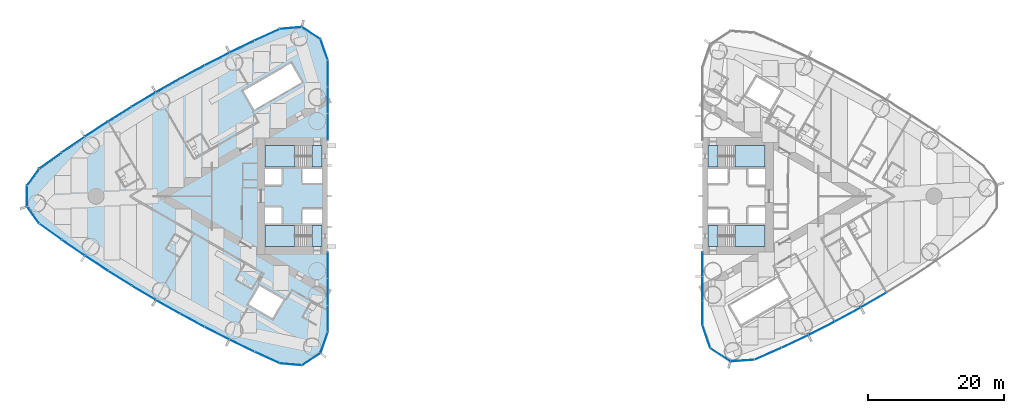
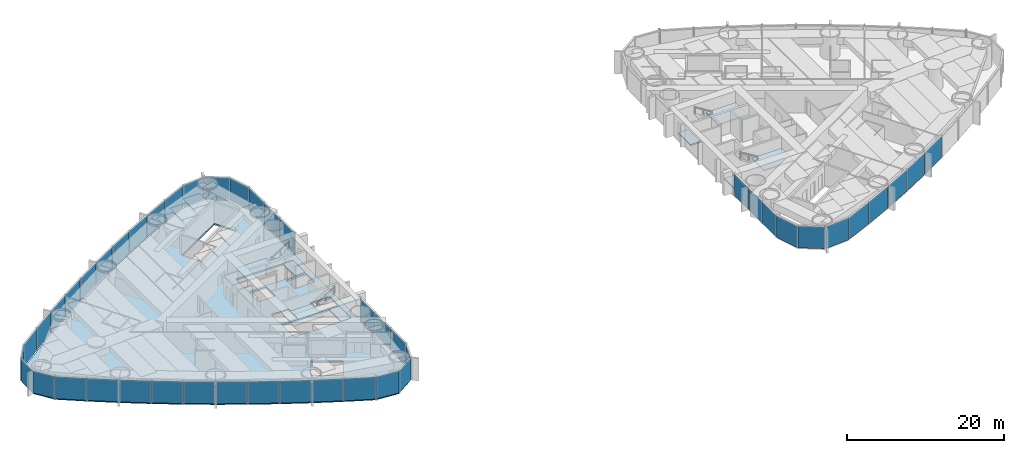
# One storey, part 9 of 18: 46 plates, 9 slabs, 6 elements without a shape of their own.
"""IFC4 building model written with IfcOpenShell, lengths in metres."""

from ifc_helpers import new_model, si_unit, direction, frame, origin, origin_2d, place, context, subcontext, project, spatial, polyline, rectangle, outline, extrude, material, layer, layer_set, type_object, element, aggregate, save


model = new_model("IFC4")

# Units and contexts
model_context = context("Model", 3, precision=1e-05, world=origin(), true_north=direction((0.0, 1.0)))
body_context = subcontext(model_context, "Body", "Model", "MODEL_VIEW")
ifc_project = project(units=[si_unit("LENGTHUNIT", "METRE"), si_unit("AREAUNIT", "SQUARE_METRE"), si_unit("VOLUMEUNIT", "CUBIC_METRE"), si_unit("PLANEANGLEUNIT", "RADIAN"), si_unit("MASSUNIT", "GRAM", prefix="KILO")], contexts=[model_context])

# Site, building, storey
site_placement = place(None, origin())
site = spatial("IfcSite", under=ifc_project, at=site_placement, CompositionType="ELEMENT")
building_placement = place(site_placement, origin())
building = spatial("IfcBuilding", under=site, at=building_placement, Name="Lancet Gate Hotel", CompositionType="ELEMENT")
storey_placement = place(building_placement, frame((0.0, 0.0, 129.10009765625)))
storey = spatial("IfcBuildingStorey", under=building, at=storey_placement, Name="L34", CompositionType="ELEMENT", Elevation=129.10009765625)

# Slab
ifc_material_1 = material(Name="Concrete C50/60", Category="concrete")
ifc_layer_1 = layer(ifc_material_1, 0.25)
ifc_layer_set_1 = layer_set([ifc_layer_1], Name="Floor slab 250")
slab_type_1 = type_object("IfcSlabType", Name="Floor slab 250", PredefinedType="FLOOR", material=ifc_layer_set_1)
slab_1_placement = place(storey_placement, frame((0.0, 0.0, -0.25)))
element("IfcSlab", 1, at=slab_1_placement, inside=storey, type_object=slab_type_1, Name="T1 L34 floor slab", PredefinedType="FLOOR", context=body_context, shape_type="SweptSolid", body=[
    extrude(outline(polyline([(-27.5, 8.60009765625), (-27.6201171875, 8.60009765625), (-27.6201171875, 19.950927734375), (-28.65966796875, 22.970947265625), (-31.320068359375, 24.69921875), (-34.5009765625, 24.421630859375), (-38.201416015625, 22.727783203125), (-41.8818359375, 20.946044921875), (-45.523193359375, 19.085693359375), (-49.12353515625, 17.147216796875), (-52.681396484375, 15.131591796875), (-56.195068359375, 13.0400390625), (-59.662841796875, 10.873291015625), (-63.0830078125, 8.63232421875), (-66.454345703125, 6.318115234375), (-69.76025390625, 3.94287109375), (-71.523193359375, 1.49755859375), (-71.523193359375, -1.49755859375), (-69.76025390625, -3.94287109375), (-66.454345703125, -6.318115234375), (-63.0830078125, -8.63232421875), (-59.662841796875, -10.873291015625), (-56.195068359375, -13.0400390625), (-52.681396484375, -15.131591796875), (-49.12353515625, -17.147216796875), (-45.523193359375, -19.085693359375), (-41.8818359375, -20.946044921875), (-38.201416015625, -22.727783203125), (-34.5009765625, -24.421630859375), (-31.320068359375, -24.69921875), (-28.65966796875, -22.970947265625), (-27.6201171875, -19.950927734375), (-27.6201171875, -8.60009765625), (-27.5, -8.60009765625), (-27.5, -8.199951171875), (-27.5, 8.199951171875), (-27.5, 8.60009765625)]), holes=[polyline([(-36.699951171875, 7.39990234375), (-36.699951171875, 4.300048828125), (-28.300048828125, 4.300048828125), (-28.300048828125, 7.39990234375), (-36.699951171875, 7.39990234375)]), polyline([(-28.300048828125, 4.0), (-31.199951171875, 4.0), (-31.199951171875, 1.89990234375), (-28.300048828125, 1.89990234375), (-28.300048828125, 4.0)]), polyline([(-34.25, 4.0), (-36.699951171875, 4.0), (-36.699951171875, 1.64990234375), (-34.25, 1.64990234375), (-34.25, 4.0)]), polyline([(-36.699951171875, -1.64990234375), (-36.699951171875, -4.0), (-34.25, -4.0), (-34.25, -1.64990234375), (-36.699951171875, -1.64990234375)]), polyline([(-28.300048828125, -1.89990234375), (-31.199951171875, -1.89990234375), (-31.199951171875, -4.0), (-28.300048828125, -4.0), (-28.300048828125, -1.89990234375)]), polyline([(-28.300048828125, -4.300048828125), (-36.699951171875, -4.300048828125), (-36.699951171875, -7.39990234375), (-28.300048828125, -7.39990234375), (-28.300048828125, -4.300048828125)]), polyline([(-31.2900390625, 16.73095703125), (-32.889892578125, 19.501953125), (-39.904052734375, 15.451904296875), (-38.303955078125, 12.680908203125), (-31.2900390625, 16.73095703125)]), polyline([(-33.97412109375, -15.180908203125), (-37.52490234375, -13.131103515625), (-39.125, -15.902099609375), (-35.573974609375, -17.951904296875), (-33.97412109375, -15.180908203125)])]), origin(), (0.0, 0.0, 1.0), 0.25),
])

# Stair, slabs
ifc_material_2 = material(Name="Exit stair 20 risers 1500")
stair_type = type_object("IfcStairType", Name="Exit stair 20 risers 1500", PredefinedType="HALF_TURN_STAIR", material=ifc_material_2)
stair_1_placement = place(storey_placement, origin())
stair_1 = element("IfcStair", 2, at=stair_1_placement, inside=storey, type_object=stair_type, Name="T1 stair 1 L34", PredefinedType="HALF_TURN_STAIR")
ifc_material_3 = material(Name="Concrete C40/50", Category="concrete")
ifc_layer_2 = layer(ifc_material_3, 0.199951171875)
ifc_layer_set_2 = layer_set([ifc_layer_2], Name="Stair landing 200")
slab_type_2 = type_object("IfcSlabType", Name="Stair landing 200", PredefinedType="LANDING", material=ifc_layer_set_2)
slab_2_placement = place(storey_placement, frame((0.0, 0.0, -0.2001953125)))
slab_2 = element("IfcSlab", 3, at=slab_2_placement, type_object=slab_type_2, Name="ST1 landing 1", PredefinedType="LANDING", context=body_context, shape_type="SweptSolid", body=[
    extrude(outline(polyline([(-28.300048828125, 7.39990234375), (-29.800048828125, 7.39990234375), (-29.800048828125, 4.300048828125), (-28.300048828125, 4.300048828125), (-28.300048828125, 7.39990234375)])), origin(), (0.0, 0.0, 1.0), 0.2001953125),
])
slab_3_placement = place(storey_placement, frame((0.0, 0.0, 1.5498046875)))
slab_3 = element("IfcSlab", 4, at=slab_3_placement, type_object=slab_type_2, Name="ST1 landing 2", PredefinedType="LANDING", context=body_context, shape_type="SweptSolid", body=[
    extrude(outline(polyline([(-32.320068359375, 7.39990234375), (-36.699951171875, 7.39990234375), (-36.699951171875, 4.300048828125), (-32.320068359375, 4.300048828125), (-32.320068359375, 7.39990234375)])), origin(), (0.0, 0.0, 1.0), 0.2001953125),
])
aggregate(stair_1, [slab_2, slab_3])

stair_2_placement = place(storey_placement, origin())
stair_2 = element("IfcStair", 5, at=stair_2_placement, inside=storey, type_object=stair_type, Name="T1 stair 2 L34", PredefinedType="HALF_TURN_STAIR")
slab_4_placement = place(storey_placement, frame((0.0, 0.0, -0.2001953125)))
slab_4 = element("IfcSlab", 6, at=slab_4_placement, type_object=slab_type_2, Name="ST2 landing 1", PredefinedType="LANDING", context=body_context, shape_type="SweptSolid", body=[
    extrude(outline(polyline([(-28.300048828125, -4.300048828125), (-29.800048828125, -4.300048828125), (-29.800048828125, -7.39990234375), (-28.300048828125, -7.39990234375), (-28.300048828125, -4.300048828125)])), origin(), (0.0, 0.0, 1.0), 0.2001953125),
])
slab_5_placement = place(storey_placement, frame((0.0, 0.0, 1.5498046875)))
slab_5 = element("IfcSlab", 7, at=slab_5_placement, type_object=slab_type_2, Name="ST2 landing 2", PredefinedType="LANDING", context=body_context, shape_type="SweptSolid", body=[
    extrude(outline(polyline([(-32.320068359375, -4.300048828125), (-36.699951171875, -4.300048828125), (-36.699951171875, -7.39990234375), (-32.320068359375, -7.39990234375), (-32.320068359375, -4.300048828125)])), origin(), (0.0, 0.0, 1.0), 0.2001953125),
])
aggregate(stair_2, [slab_4, slab_5])

stair_3_placement = place(storey_placement, origin())
stair_3 = element("IfcStair", 8, at=stair_3_placement, inside=storey, type_object=stair_type, Name="T2 stair 1 L34", PredefinedType="HALF_TURN_STAIR")
slab_6_placement = place(storey_placement, frame((0.0, 0.0, -0.2001953125)))
slab_6 = element("IfcSlab", 9, at=slab_6_placement, type_object=slab_type_2, Name="ST3 landing 1", PredefinedType="LANDING", context=body_context, shape_type="SweptSolid", body=[
    extrude(outline(polyline([(28.300048828125, -7.39990234375), (29.800048828125, -7.39990234375), (29.800048828125, -4.300048828125), (28.300048828125, -4.300048828125), (28.300048828125, -7.39990234375)])), origin(), (0.0, 0.0, 1.0), 0.2001953125),
])
slab_7_placement = place(storey_placement, frame((0.0, 0.0, 1.5498046875)))
slab_7 = element("IfcSlab", 10, at=slab_7_placement, type_object=slab_type_2, Name="ST3 landing 2", PredefinedType="LANDING", context=body_context, shape_type="SweptSolid", body=[
    extrude(outline(polyline([(32.320068359375, -7.39990234375), (36.699951171875, -7.39990234375), (36.699951171875, -4.300048828125), (32.320068359375, -4.300048828125), (32.320068359375, -7.39990234375)])), origin(), (0.0, 0.0, 1.0), 0.2001953125),
])
aggregate(stair_3, [slab_6, slab_7])

stair_4_placement = place(storey_placement, origin())
stair_4 = element("IfcStair", 11, at=stair_4_placement, inside=storey, type_object=stair_type, Name="T2 stair 2 L34", PredefinedType="HALF_TURN_STAIR")
slab_8_placement = place(storey_placement, frame((0.0, 0.0, -0.2001953125)))
slab_8 = element("IfcSlab", 12, at=slab_8_placement, type_object=slab_type_2, Name="ST4 landing 1", PredefinedType="LANDING", context=body_context, shape_type="SweptSolid", body=[
    extrude(outline(polyline([(28.300048828125, 4.300048828125), (29.800048828125, 4.300048828125), (29.800048828125, 7.39990234375), (28.300048828125, 7.39990234375), (28.300048828125, 4.300048828125)])), origin(), (0.0, 0.0, 1.0), 0.2001953125),
])
slab_9_placement = place(storey_placement, frame((0.0, 0.0, 1.5498046875)))
slab_9 = element("IfcSlab", 13, at=slab_9_placement, type_object=slab_type_2, Name="ST4 landing 2", PredefinedType="LANDING", context=body_context, shape_type="SweptSolid", body=[
    extrude(outline(polyline([(32.320068359375, 4.300048828125), (36.699951171875, 4.300048828125), (36.699951171875, 7.39990234375), (32.320068359375, 7.39990234375), (32.320068359375, 4.300048828125)])), origin(), (0.0, 0.0, 1.0), 0.2001953125),
])
aggregate(stair_4, [slab_8, slab_9])

# Curtain wall, plates
ifc_material_4 = material(Name="Aluminium curtain wall", Category="aluminium")
curtain_wall_type = type_object("IfcCurtainWallType", Name="Tower unitised curtain wall", PredefinedType="USERDEFINED", material=ifc_material_4)
curtain_wall_1_placement = place(storey_placement, origin())
curtain_wall_1 = element("IfcCurtainWall", 14, at=curtain_wall_1_placement, inside=storey, type_object=curtain_wall_type, Name="T1 L34 curtain wall 1", ObjectType="UNITISED CURTAIN WALL", PredefinedType="USERDEFINED")
ifc_material_5 = material(Name="Glass double glazed unit 8-16-6", Category="glass")
ifc_layer_3 = layer(ifc_material_5, 0.030029296875)
ifc_layer_set_3 = layer_set([ifc_layer_3], Name="Vision panel double glazed")
plate_type = type_object("IfcPlateType", Name="Vision panel double glazed", PredefinedType="CURTAIN_PANEL", material=ifc_layer_set_3)
plate_1_placement = place(storey_placement, frame((-27.5, 10.161865234375, -0.000244140625), z_axis=(0.0, 0.0, 1.0), x_axis=(0.0, 1.0, 0.0)))
plate_1 = element("IfcPlate", 15, at=plate_1_placement, type_object=plate_type, Name="T1 L34 curtain wall 1 panel 1", PredefinedType="CURTAIN_PANEL", context=body_context, shape_type="SweptSolid", body=[
    extrude(rectangle(XDim=3.858642578125, YDim=0.030029296875, at=origin_2d()), origin(), (0.0, 0.0, 1.0), 3.35009765625),
])
plate_2_placement = place(storey_placement, frame((-27.5, 14.08544921875, -0.000244140625), z_axis=(0.0, 0.0, 1.0), x_axis=(0.0, 1.0, 0.0)))
plate_2 = element("IfcPlate", 16, at=plate_2_placement, type_object=plate_type, Name="T1 L34 curtain wall 1 panel 2", PredefinedType="CURTAIN_PANEL", context=body_context, shape_type="SweptSolid", body=[
    extrude(rectangle(XDim=3.858642578125, YDim=0.030029296875, at=origin_2d()), origin(), (0.0, 0.0, 1.0), 3.35009765625),
])
plate_3_placement = place(storey_placement, frame((-27.5, 18.00927734375, -0.000244140625), z_axis=(0.0, 0.0, 1.0), x_axis=(0.0, 1.0, 0.0)))
plate_3 = element("IfcPlate", 17, at=plate_3_placement, type_object=plate_type, Name="T1 L34 curtain wall 1 panel 3", PredefinedType="CURTAIN_PANEL", context=body_context, shape_type="SweptSolid", body=[
    extrude(rectangle(XDim=3.858642578125, YDim=0.030029296875, at=origin_2d()), origin(), (0.0, 0.0, 1.0), 3.35009765625),
])
plate_4_placement = place(storey_placement, frame((-28.02978515625, 21.510009765625, -0.000244140625), z_axis=(0.0, 0.0, 1.0), x_axis=(-0.325515820766, 0.945536593914, 0.0)))
plate_4 = element("IfcPlate", 18, at=plate_4_placement, type_object=plate_type, Name="T1 L34 curtain wall 1 panel 4", PredefinedType="CURTAIN_PANEL", context=body_context, shape_type="SweptSolid", body=[
    extrude(rectangle(XDim=3.190185546875, YDim=0.030029296875, at=origin_2d()), origin(), (0.0, 0.0, 1.0), 3.35009765625),
])
plate_5_placement = place(storey_placement, frame((-29.924560546875, 23.935546875, -0.000244140625), z_axis=(0.0, 0.0, 1.0), x_axis=(-0.838580121261, 0.544778285385, 0.0)))
plate_5 = element("IfcPlate", 19, at=plate_5_placement, type_object=plate_type, Name="T1 L34 curtain wall 1 panel 5", PredefinedType="CURTAIN_PANEL", context=body_context, shape_type="SweptSolid", body=[
    extrude(rectangle(XDim=3.190185546875, YDim=0.030029296875, at=origin_2d()), origin(), (0.0, 0.0, 1.0), 3.35009765625),
])
plate_6_placement = place(storey_placement, frame((-32.91064453125, 24.680908203125, -0.000244140625), z_axis=(0.0, 0.0, 1.0), x_axis=(-0.996218779711, -0.086880049207, 0.0)))
plate_6 = element("IfcPlate", 20, at=plate_6_placement, type_object=plate_type, Name="T1 L34 curtain wall 1 panel 6", PredefinedType="CURTAIN_PANEL", context=body_context, shape_type="SweptSolid", body=[
    extrude(rectangle(XDim=3.190185546875, YDim=0.030029296875, at=origin_2d()), origin(), (0.0, 0.0, 1.0), 3.35009765625),
])
plate_7_placement = place(storey_placement, frame((-36.392333984375, 23.68798828125, -0.000244140625), z_axis=(0.0, 0.0, 1.0), x_axis=(-0.909252721243, -0.416244506166, 0.0)))
plate_7 = element("IfcPlate", 21, at=plate_7_placement, type_object=plate_type, Name="T1 L34 curtain wall 1 panel 7", PredefinedType="CURTAIN_PANEL", context=body_context, shape_type="SweptSolid", body=[
    extrude(rectangle(XDim=4.026611328125, YDim=0.030029296875, at=origin_2d()), origin(), (0.0, 0.0, 1.0), 3.35009765625),
])
plate_8_placement = place(storey_placement, frame((-40.093994140625, 21.945068359375, -0.000244140625), z_axis=(0.0, 0.0, 1.0), x_axis=(-0.900081672047, -0.435721222395, 0.0)))
plate_8 = element("IfcPlate", 22, at=plate_8_placement, type_object=plate_type, Name="T1 L34 curtain wall 1 panel 8", PredefinedType="CURTAIN_PANEL", context=body_context, shape_type="SweptSolid", body=[
    extrude(rectangle(XDim=4.026611328125, YDim=0.030029296875, at=origin_2d()), origin(), (0.0, 0.0, 1.0), 3.35009765625),
])
plate_9_placement = place(storey_placement, frame((-43.757080078125, 20.122802734375, -0.000244140625), z_axis=(0.0, 0.0, 1.0), x_axis=(-0.890493479451, -0.45499600334, 0.0)))
plate_9 = element("IfcPlate", 23, at=plate_9_placement, type_object=plate_type, Name="T1 L34 curtain wall 1 panel 9", PredefinedType="CURTAIN_PANEL", context=body_context, shape_type="SweptSolid", body=[
    extrude(rectangle(XDim=4.026611328125, YDim=0.030029296875, at=origin_2d()), origin(), (0.0, 0.0, 1.0), 3.35009765625),
])
plate_10_placement = place(storey_placement, frame((-47.380126953125, 18.221923828125, -0.000244140625), z_axis=(0.0, 0.0, 1.0), x_axis=(-0.880492587094, -0.474059916121, 0.0)))
plate_10 = element("IfcPlate", 24, at=plate_10_placement, type_object=plate_type, Name="T1 L34 curtain wall 1 panel 10", PredefinedType="CURTAIN_PANEL", context=body_context, shape_type="SweptSolid", body=[
    extrude(rectangle(XDim=4.026611328125, YDim=0.030029296875, at=origin_2d()), origin(), (0.0, 0.0, 1.0), 3.35009765625),
])
plate_11_placement = place(storey_placement, frame((-50.961669921875, 16.243896484375, -0.000244140625), z_axis=(0.0, 0.0, 1.0), x_axis=(-0.870083629903, -0.49290412554, 0.0)))
plate_11 = element("IfcPlate", 25, at=plate_11_placement, type_object=plate_type, Name="T1 L34 curtain wall 1 panel 11", PredefinedType="CURTAIN_PANEL", context=body_context, shape_type="SweptSolid", body=[
    extrude(rectangle(XDim=4.026611328125, YDim=0.030029296875, at=origin_2d()), origin(), (0.0, 0.0, 1.0), 3.35009765625),
])
plate_12_placement = place(storey_placement, frame((-54.49951171875, 14.18896484375, -0.000244140625), z_axis=(0.0, 0.0, 1.0), x_axis=(-0.859271431916, -0.511519898238, 0.0)))
plate_12 = element("IfcPlate", 26, at=plate_12_placement, type_object=plate_type, Name="T1 L34 curtain wall 1 panel 12", PredefinedType="CURTAIN_PANEL", context=body_context, shape_type="SweptSolid", body=[
    extrude(rectangle(XDim=4.026611328125, YDim=0.030029296875, at=origin_2d()), origin(), (0.0, 0.0, 1.0), 3.35009765625),
])
plate_13_placement = place(storey_placement, frame((-57.992431640625, 12.058349609375, -0.000244140625), z_axis=(0.0, 0.0, 1.0), x_axis=(-0.848061004052, -0.529898606722, 0.0)))
plate_13 = element("IfcPlate", 27, at=plate_13_placement, type_object=plate_type, Name="T1 L34 curtain wall 1 panel 13", PredefinedType="CURTAIN_PANEL", context=body_context, shape_type="SweptSolid", body=[
    extrude(rectangle(XDim=4.026611328125, YDim=0.030029296875, at=origin_2d()), origin(), (0.0, 0.0, 1.0), 3.35009765625),
])
plate_14_placement = place(storey_placement, frame((-61.438720703125, 9.85302734375, -0.000244140625), z_axis=(0.0, 0.0, 1.0), x_axis=(-0.836457541791, -0.54803173337, 0.0)))
plate_14 = element("IfcPlate", 28, at=plate_14_placement, type_object=plate_type, Name="T1 L34 curtain wall 1 panel 14", PredefinedType="CURTAIN_PANEL", context=body_context, shape_type="SweptSolid", body=[
    extrude(rectangle(XDim=4.026611328125, YDim=0.030029296875, at=origin_2d()), origin(), (0.0, 0.0, 1.0), 3.35009765625),
])
plate_15_placement = place(storey_placement, frame((-64.836669921875, 7.57421875, -0.000244140625), z_axis=(0.0, 0.0, 1.0), x_axis=(-0.824466422775, -0.565910874357, 0.0)))
plate_15 = element("IfcPlate", 29, at=plate_15_placement, type_object=plate_type, Name="T1 L34 curtain wall 1 panel 15", PredefinedType="CURTAIN_PANEL", context=body_context, shape_type="SweptSolid", body=[
    extrude(rectangle(XDim=4.026611328125, YDim=0.030029296875, at=origin_2d()), origin(), (0.0, 0.0, 1.0), 3.35009765625),
])
plate_16_placement = place(storey_placement, frame((-68.184814453125, 5.22265625, -0.000244140625), z_axis=(0.0, 0.0, 1.0), x_axis=(-0.812093204276, -0.583527743615, 0.0)))
plate_16 = element("IfcPlate", 30, at=plate_16_placement, type_object=plate_type, Name="T1 L34 curtain wall 1 panel 16", PredefinedType="CURTAIN_PANEL", context=body_context, shape_type="SweptSolid", body=[
    extrude(rectangle(XDim=4.026611328125, YDim=0.030029296875, at=origin_2d()), origin(), (0.0, 0.0, 1.0), 3.35009765625),
])
plate_17_placement = place(storey_placement, frame((-70.74462890625, 2.782470703125, -0.000244140625), z_axis=(0.0, 0.0, 1.0), x_axis=(-0.584808645706, -0.811171281486, 0.0)))
plate_17 = element("IfcPlate", 31, at=plate_17_placement, type_object=plate_type, Name="T1 L34 curtain wall 1 panel 17", PredefinedType="CURTAIN_PANEL", context=body_context, shape_type="SweptSolid", body=[
    extrude(rectangle(XDim=3.0078125, YDim=0.030029296875, at=origin_2d()), origin(), (0.0, 0.0, 1.0), 3.35009765625),
])
plate_18_placement = place(storey_placement, frame((-71.64306640625, 0.0, -0.000244140625), z_axis=(0.0, 0.0, 1.0), x_axis=(0.0, -1.0, 0.0)))
plate_18 = element("IfcPlate", 32, at=plate_18_placement, type_object=plate_type, Name="T1 L34 curtain wall 1 panel 18", PredefinedType="CURTAIN_PANEL", context=body_context, shape_type="SweptSolid", body=[
    extrude(rectangle(XDim=3.0078125, YDim=0.030029296875, at=origin_2d()), origin(), (0.0, 0.0, 1.0), 3.35009765625),
])
plate_19_placement = place(storey_placement, frame((-70.74462890625, -2.782470703125, -0.000244140625), z_axis=(0.0, 0.0, 1.0), x_axis=(0.584808645706, -0.811171281486, 0.0)))
plate_19 = element("IfcPlate", 33, at=plate_19_placement, type_object=plate_type, Name="T1 L34 curtain wall 1 panel 19", PredefinedType="CURTAIN_PANEL", context=body_context, shape_type="SweptSolid", body=[
    extrude(rectangle(XDim=3.0078125, YDim=0.030029296875, at=origin_2d()), origin(), (0.0, 0.0, 1.0), 3.35009765625),
])
plate_20_placement = place(storey_placement, frame((-68.184814453125, -5.22265625, -0.000244140625), z_axis=(0.0, 0.0, 1.0), x_axis=(0.812093204276, -0.583527743615, 0.0)))
plate_20 = element("IfcPlate", 34, at=plate_20_placement, type_object=plate_type, Name="T1 L34 curtain wall 1 panel 20", PredefinedType="CURTAIN_PANEL", context=body_context, shape_type="SweptSolid", body=[
    extrude(rectangle(XDim=4.026611328125, YDim=0.030029296875, at=origin_2d()), origin(), (0.0, 0.0, 1.0), 3.35009765625),
])
plate_21_placement = place(storey_placement, frame((-64.836669921875, -7.57421875, -0.000244140625), z_axis=(0.0, 0.0, 1.0), x_axis=(0.824466422775, -0.565910874357, 0.0)))
plate_21 = element("IfcPlate", 35, at=plate_21_placement, type_object=plate_type, Name="T1 L34 curtain wall 1 panel 21", PredefinedType="CURTAIN_PANEL", context=body_context, shape_type="SweptSolid", body=[
    extrude(rectangle(XDim=4.026611328125, YDim=0.030029296875, at=origin_2d()), origin(), (0.0, 0.0, 1.0), 3.35009765625),
])
plate_22_placement = place(storey_placement, frame((-61.438720703125, -9.85302734375, -0.000244140625), z_axis=(0.0, 0.0, 1.0), x_axis=(0.836457541791, -0.54803173337, 0.0)))
plate_22 = element("IfcPlate", 36, at=plate_22_placement, type_object=plate_type, Name="T1 L34 curtain wall 1 panel 22", PredefinedType="CURTAIN_PANEL", context=body_context, shape_type="SweptSolid", body=[
    extrude(rectangle(XDim=4.026611328125, YDim=0.030029296875, at=origin_2d()), origin(), (0.0, 0.0, 1.0), 3.35009765625),
])
plate_23_placement = place(storey_placement, frame((-57.992431640625, -12.058349609375, -0.000244140625), z_axis=(0.0, 0.0, 1.0), x_axis=(0.848061004052, -0.529898606722, 0.0)))
plate_23 = element("IfcPlate", 37, at=plate_23_placement, type_object=plate_type, Name="T1 L34 curtain wall 1 panel 23", PredefinedType="CURTAIN_PANEL", context=body_context, shape_type="SweptSolid", body=[
    extrude(rectangle(XDim=4.026611328125, YDim=0.030029296875, at=origin_2d()), origin(), (0.0, 0.0, 1.0), 3.35009765625),
])
plate_24_placement = place(storey_placement, frame((-54.49951171875, -14.18896484375, -0.000244140625), z_axis=(0.0, 0.0, 1.0), x_axis=(0.859271431916, -0.511519898238, 0.0)))
plate_24 = element("IfcPlate", 38, at=plate_24_placement, type_object=plate_type, Name="T1 L34 curtain wall 1 panel 24", PredefinedType="CURTAIN_PANEL", context=body_context, shape_type="SweptSolid", body=[
    extrude(rectangle(XDim=4.026611328125, YDim=0.030029296875, at=origin_2d()), origin(), (0.0, 0.0, 1.0), 3.35009765625),
])
plate_25_placement = place(storey_placement, frame((-50.961669921875, -16.243896484375, -0.000244140625), z_axis=(0.0, 0.0, 1.0), x_axis=(0.870083629903, -0.49290412554, 0.0)))
plate_25 = element("IfcPlate", 39, at=plate_25_placement, type_object=plate_type, Name="T1 L34 curtain wall 1 panel 25", PredefinedType="CURTAIN_PANEL", context=body_context, shape_type="SweptSolid", body=[
    extrude(rectangle(XDim=4.026611328125, YDim=0.030029296875, at=origin_2d()), origin(), (0.0, 0.0, 1.0), 3.35009765625),
])
plate_26_placement = place(storey_placement, frame((-47.380126953125, -18.221923828125, -0.000244140625), z_axis=(0.0, 0.0, 1.0), x_axis=(0.880492587094, -0.474059916121, 0.0)))
plate_26 = element("IfcPlate", 40, at=plate_26_placement, type_object=plate_type, Name="T1 L34 curtain wall 1 panel 26", PredefinedType="CURTAIN_PANEL", context=body_context, shape_type="SweptSolid", body=[
    extrude(rectangle(XDim=4.026611328125, YDim=0.030029296875, at=origin_2d()), origin(), (0.0, 0.0, 1.0), 3.35009765625),
])
plate_27_placement = place(storey_placement, frame((-43.757080078125, -20.122802734375, -0.000244140625), z_axis=(0.0, 0.0, 1.0), x_axis=(0.890493479451, -0.45499600334, 0.0)))
plate_27 = element("IfcPlate", 41, at=plate_27_placement, type_object=plate_type, Name="T1 L34 curtain wall 1 panel 27", PredefinedType="CURTAIN_PANEL", context=body_context, shape_type="SweptSolid", body=[
    extrude(rectangle(XDim=4.026611328125, YDim=0.030029296875, at=origin_2d()), origin(), (0.0, 0.0, 1.0), 3.35009765625),
])
plate_28_placement = place(storey_placement, frame((-40.093994140625, -21.945068359375, -0.000244140625), z_axis=(0.0, 0.0, 1.0), x_axis=(0.900081672047, -0.435721222395, 0.0)))
plate_28 = element("IfcPlate", 42, at=plate_28_placement, type_object=plate_type, Name="T1 L34 curtain wall 1 panel 28", PredefinedType="CURTAIN_PANEL", context=body_context, shape_type="SweptSolid", body=[
    extrude(rectangle(XDim=4.026611328125, YDim=0.030029296875, at=origin_2d()), origin(), (0.0, 0.0, 1.0), 3.35009765625),
])
plate_29_placement = place(storey_placement, frame((-36.392333984375, -23.68798828125, -0.000244140625), z_axis=(0.0, 0.0, 1.0), x_axis=(0.909252721243, -0.416244506166, 0.0)))
plate_29 = element("IfcPlate", 43, at=plate_29_placement, type_object=plate_type, Name="T1 L34 curtain wall 1 panel 29", PredefinedType="CURTAIN_PANEL", context=body_context, shape_type="SweptSolid", body=[
    extrude(rectangle(XDim=4.026611328125, YDim=0.030029296875, at=origin_2d()), origin(), (0.0, 0.0, 1.0), 3.35009765625),
])
plate_30_placement = place(storey_placement, frame((-32.91064453125, -24.680908203125, -0.000244140625), z_axis=(0.0, 0.0, 1.0), x_axis=(0.996218779711, -0.086880049207, 0.0)))
plate_30 = element("IfcPlate", 44, at=plate_30_placement, type_object=plate_type, Name="T1 L34 curtain wall 1 panel 30", PredefinedType="CURTAIN_PANEL", context=body_context, shape_type="SweptSolid", body=[
    extrude(rectangle(XDim=3.190185546875, YDim=0.030029296875, at=origin_2d()), origin(), (0.0, 0.0, 1.0), 3.35009765625),
])
plate_31_placement = place(storey_placement, frame((-29.924560546875, -23.935546875, -0.000244140625), z_axis=(0.0, 0.0, 1.0), x_axis=(0.838580121261, 0.544778285385, 0.0)))
plate_31 = element("IfcPlate", 45, at=plate_31_placement, type_object=plate_type, Name="T1 L34 curtain wall 1 panel 31", PredefinedType="CURTAIN_PANEL", context=body_context, shape_type="SweptSolid", body=[
    extrude(rectangle(XDim=3.190185546875, YDim=0.030029296875, at=origin_2d()), origin(), (0.0, 0.0, 1.0), 3.35009765625),
])
plate_32_placement = place(storey_placement, frame((-28.02978515625, -21.510009765625, -0.000244140625), z_axis=(0.0, 0.0, 1.0), x_axis=(0.325515820766, 0.945536593914, 0.0)))
plate_32 = element("IfcPlate", 46, at=plate_32_placement, type_object=plate_type, Name="T1 L34 curtain wall 1 panel 32", PredefinedType="CURTAIN_PANEL", context=body_context, shape_type="SweptSolid", body=[
    extrude(rectangle(XDim=3.190185546875, YDim=0.030029296875, at=origin_2d()), origin(), (0.0, 0.0, 1.0), 3.35009765625),
])
plate_33_placement = place(storey_placement, frame((-27.5, -18.00927734375, -0.000244140625), z_axis=(0.0, 0.0, 1.0), x_axis=(0.0, 1.0, 0.0)))
plate_33 = element("IfcPlate", 47, at=plate_33_placement, type_object=plate_type, Name="T1 L34 curtain wall 1 panel 33", PredefinedType="CURTAIN_PANEL", context=body_context, shape_type="SweptSolid", body=[
    extrude(rectangle(XDim=3.858642578125, YDim=0.030029296875, at=origin_2d()), origin(), (0.0, 0.0, 1.0), 3.35009765625),
])
plate_34_placement = place(storey_placement, frame((-27.5, -14.08544921875, -0.000244140625), z_axis=(0.0, 0.0, 1.0), x_axis=(0.0, 1.0, 0.0)))
plate_34 = element("IfcPlate", 48, at=plate_34_placement, type_object=plate_type, Name="T1 L34 curtain wall 1 panel 34", PredefinedType="CURTAIN_PANEL", context=body_context, shape_type="SweptSolid", body=[
    extrude(rectangle(XDim=3.858642578125, YDim=0.030029296875, at=origin_2d()), origin(), (0.0, 0.0, 1.0), 3.35009765625),
])
plate_35_placement = place(storey_placement, frame((-27.5, -10.161865234375, -0.000244140625), z_axis=(0.0, 0.0, 1.0), x_axis=(0.0, 1.0, 0.0)))
plate_35 = element("IfcPlate", 49, at=plate_35_placement, type_object=plate_type, Name="T1 L34 curtain wall 1 panel 35", PredefinedType="CURTAIN_PANEL", context=body_context, shape_type="SweptSolid", body=[
    extrude(rectangle(XDim=3.858642578125, YDim=0.030029296875, at=origin_2d()), origin(), (0.0, 0.0, 1.0), 3.35009765625),
])
aggregate(curtain_wall_1, [plate_1, plate_2, plate_3, plate_4, plate_5, plate_6, plate_7, plate_8, plate_9, plate_10, plate_11, plate_12, plate_13, plate_14, plate_15, plate_16, plate_17, plate_18, plate_19, plate_20, plate_21, plate_22, plate_23, plate_24, plate_25, plate_26, plate_27, plate_28, plate_29, plate_30, plate_31, plate_32, plate_33, plate_34, plate_35])

curtain_wall_2_placement = place(storey_placement, origin())
curtain_wall_2 = element("IfcCurtainWall", 50, at=curtain_wall_2_placement, inside=storey, type_object=curtain_wall_type, Name="T2 L34 curtain wall 1", ObjectType="UNITISED CURTAIN WALL", PredefinedType="USERDEFINED")
plate_36_placement = place(storey_placement, frame((27.5, -9.990478515625, -0.000244140625), z_axis=(0.0, 0.0, 1.0), x_axis=(0.0, -1.0, 0.0)))
plate_36 = element("IfcPlate", 51, at=plate_36_placement, type_object=plate_type, Name="T2 L34 curtain wall 1 panel 1", PredefinedType="CURTAIN_PANEL", context=body_context, shape_type="SweptSolid", body=[
    extrude(rectangle(XDim=3.515869140625, YDim=0.030029296875, at=origin_2d()), origin(), (0.0, 0.0, 1.0), 3.35009765625),
])
plate_37_placement = place(storey_placement, frame((27.5, -13.571533203125, -0.000244140625), z_axis=(0.0, 0.0, 1.0), x_axis=(0.0, -1.0, 0.0)))
plate_37 = element("IfcPlate", 52, at=plate_37_placement, type_object=plate_type, Name="T2 L34 curtain wall 1 panel 2", PredefinedType="CURTAIN_PANEL", context=body_context, shape_type="SweptSolid", body=[
    extrude(rectangle(XDim=3.515869140625, YDim=0.030029296875, at=origin_2d()), origin(), (0.0, 0.0, 1.0), 3.35009765625),
])
plate_38_placement = place(storey_placement, frame((27.5, -17.15234375, -0.000244140625), z_axis=(0.0, 0.0, 1.0), x_axis=(0.0, -1.0, 0.0)))
plate_38 = element("IfcPlate", 53, at=plate_38_placement, type_object=plate_type, Name="T2 L34 curtain wall 1 panel 3", PredefinedType="CURTAIN_PANEL", context=body_context, shape_type="SweptSolid", body=[
    extrude(rectangle(XDim=3.515869140625, YDim=0.030029296875, at=origin_2d()), origin(), (0.0, 0.0, 1.0), 3.35009765625),
])
plate_39_placement = place(storey_placement, frame((28.072265625, -20.622314453125, -0.000244140625), z_axis=(0.0, 0.0, 1.0), x_axis=(0.32257568891, -0.946543673015, 0.0)))
plate_39 = element("IfcPlate", 54, at=plate_39_placement, type_object=plate_type, Name="T2 L34 curtain wall 1 panel 4", PredefinedType="CURTAIN_PANEL", context=body_context, shape_type="SweptSolid", body=[
    extrude(rectangle(XDim=3.4833984375, YDim=0.030029296875, at=origin_2d()), origin(), (0.0, 0.0, 1.0), 3.35009765625),
])
plate_40_placement = place(storey_placement, frame((30.123291015625, -23.281982421875, -0.000244140625), z_axis=(0.0, 0.0, 1.0), x_axis=(0.833464516611, -0.552572981198, 0.0)))
plate_40 = element("IfcPlate", 55, at=plate_40_placement, type_object=plate_type, Name="T2 L34 curtain wall 1 panel 5", PredefinedType="CURTAIN_PANEL", context=body_context, shape_type="SweptSolid", body=[
    extrude(rectangle(XDim=3.4833984375, YDim=0.030029296875, at=origin_2d()), origin(), (0.0, 0.0, 1.0), 3.35009765625),
])
plate_41_placement = place(storey_placement, frame((33.37158203125, -24.1357421875, -0.000244140625), z_axis=(0.0, 0.0, 1.0), x_axis=(0.997448492935, 0.07138980278, 0.0)))
plate_41 = element("IfcPlate", 56, at=plate_41_placement, type_object=plate_type, Name="T2 L34 curtain wall 1 panel 6", PredefinedType="CURTAIN_PANEL", context=body_context, shape_type="SweptSolid", body=[
    extrude(rectangle(XDim=3.4833984375, YDim=0.030029296875, at=origin_2d()), origin(), (0.0, 0.0, 1.0), 3.35009765625),
])
plate_42_placement = place(storey_placement, frame((37.13134765625, -23.13427734375, -0.000244140625), z_axis=(0.0, 0.0, 1.0), x_axis=(0.915478658759, 0.40236653111, 0.0)))
plate_42 = element("IfcPlate", 57, at=plate_42_placement, type_object=plate_type, Name="T2 L34 curtain wall 1 panel 7", PredefinedType="CURTAIN_PANEL", context=body_context, shape_type="SweptSolid", body=[
    extrude(rectangle(XDim=4.2822265625, YDim=0.030029296875, at=origin_2d()), origin(), (0.0, 0.0, 1.0), 3.35009765625),
])
plate_43_placement = place(storey_placement, frame((41.08544921875, -21.3291015625, -0.000244140625), z_axis=(0.0, 0.0, 1.0), x_axis=(0.903683440096, 0.428201167789, 0.0)))
plate_43 = element("IfcPlate", 58, at=plate_43_placement, type_object=plate_type, Name="T2 L34 curtain wall 1 panel 8", PredefinedType="CURTAIN_PANEL", context=body_context, shape_type="SweptSolid", body=[
    extrude(rectangle(XDim=4.2822265625, YDim=0.030029296875, at=origin_2d()), origin(), (0.0, 0.0, 1.0), 3.35009765625),
])
plate_44_placement = place(storey_placement, frame((44.98681640625, -19.412109375, -0.000244140625), z_axis=(0.0, 0.0, 1.0), x_axis=(0.891159350462, 0.453690436403, 0.0)))
plate_44 = element("IfcPlate", 59, at=plate_44_placement, type_object=plate_type, Name="T2 L34 curtain wall 1 panel 9", PredefinedType="CURTAIN_PANEL", context=body_context, shape_type="SweptSolid", body=[
    extrude(rectangle(XDim=4.2822265625, YDim=0.030029296875, at=origin_2d()), origin(), (0.0, 0.0, 1.0), 3.35009765625),
])
plate_45_placement = place(storey_placement, frame((48.832275390625, -17.38525390625, -0.000244140625), z_axis=(0.0, 0.0, 1.0), x_axis=(0.877916491224, 0.478813778454, 0.0)))
plate_45 = element("IfcPlate", 60, at=plate_45_placement, type_object=plate_type, Name="T2 L34 curtain wall 1 panel 10", PredefinedType="CURTAIN_PANEL", context=body_context, shape_type="SweptSolid", body=[
    extrude(rectangle(XDim=4.2822265625, YDim=0.030029296875, at=origin_2d()), origin(), (0.0, 0.0, 1.0), 3.35009765625),
])
plate_46_placement = place(storey_placement, frame((52.618408203125, -15.249755859375, -0.000244140625), z_axis=(0.0, 0.0, 1.0), x_axis=(0.863965543499, 0.503550930538, 0.0)))
plate_46 = element("IfcPlate", 61, at=plate_46_placement, type_object=plate_type, Name="T2 L34 curtain wall 1 panel 11", PredefinedType="CURTAIN_PANEL", context=body_context, shape_type="SweptSolid", body=[
    extrude(rectangle(XDim=4.2822265625, YDim=0.030029296875, at=origin_2d()), origin(), (0.0, 0.0, 1.0), 3.35009765625),
])
aggregate(curtain_wall_2, [plate_36, plate_37, plate_38, plate_39, plate_40, plate_41, plate_42, plate_43, plate_44, plate_45, plate_46])

save(model, "model.ifc")
